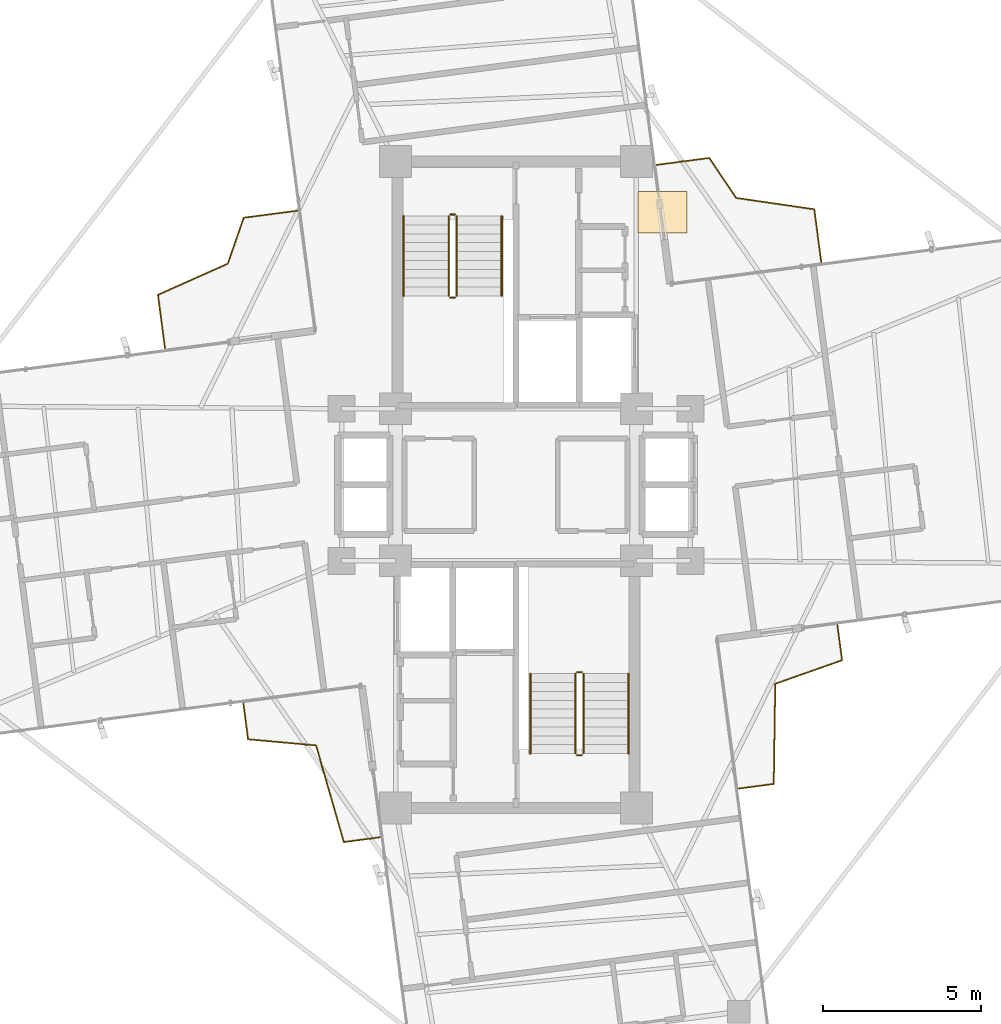
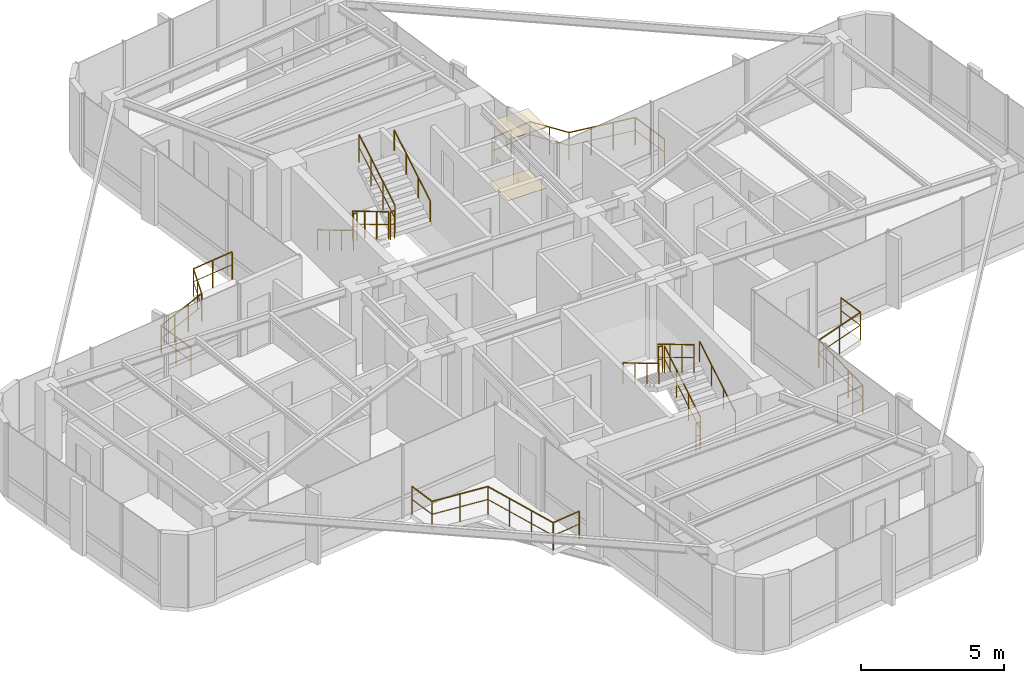
# One storey, part 21 of 21: 16 railings, 2 coverings.
"""IFC4 building model written with IfcOpenShell, lengths in metres."""

from ifc_helpers import new_model, si_unit, direction, frame, origin, origin_2d, place, context, subcontext, project, spatial, polyline, circle, outline, extrude, material, layer, layer_set, type_object, element, save


model = new_model("IFC4")

# Units and contexts
model_context = context("Model", 3, precision=1e-05, world=origin(), true_north=direction((0.0, 1.0)))
body_context = subcontext(model_context, "Body", "Model", "MODEL_VIEW")
ifc_project = project(units=[si_unit("LENGTHUNIT", "METRE"), si_unit("AREAUNIT", "SQUARE_METRE"), si_unit("VOLUMEUNIT", "CUBIC_METRE"), si_unit("PLANEANGLEUNIT", "RADIAN"), si_unit("MASSUNIT", "GRAM", prefix="KILO")], contexts=[model_context])

# Site, building, storey
site_placement = place(None, origin())
site = spatial("IfcSite", under=ifc_project, at=site_placement, CompositionType="ELEMENT")
building_placement = place(site_placement, origin())
building = spatial("IfcBuilding", under=site, at=building_placement, Name="Sahyath Konkavel Grand Hotel", CompositionType="ELEMENT")
storey_placement = place(building_placement, frame((0.0, 0.0, 209.85009765625)))
storey = spatial("IfcBuildingStorey", under=building, at=storey_placement, Name="L58", CompositionType="ELEMENT", Elevation=209.85009765625)

# Coverings
ifc_material_1 = material(Name="Perforated Acoustic Gypsum and Teak Baffle Ceiling")
ifc_layer_1 = layer(ifc_material_1, 0.044921875)
ifc_layer_set_1 = layer_set([ifc_layer_1], Name="Perforated Acoustic Gypsum and Teak Baffle Ceiling")
covering_type_1 = type_object("IfcCoveringType", Name="COV-ACOUSTIC-CLG", PredefinedType="CEILING", material=ifc_layer_set_1)
covering_1_placement = place(storey_placement, frame((0.0, 0.0, 2.58984375)))
element("IfcCovering", 1, at=covering_1_placement, inside=storey, type_object=covering_type_1, Name="L58 Core Vestibule Acoustic Ceiling", PredefinedType="CEILING", context=body_context, shape_type="SweptSolid", body=[
    extrude(outline(polyline([(3.85009765625, 7.949951171875), (5.39990234375, 7.949951171875), (5.39990234375, 9.25), (3.85009765625, 9.25), (3.85009765625, 7.949951171875)])), origin(), (0.0, 0.0, 1.0), 0.0400390625),
])
ifc_material_2 = material(Name="Polished Konkan Aggregate Terrazzo Flooring")
ifc_layer_2 = layer(ifc_material_2, 0.02001953125)
ifc_layer_set_2 = layer_set([ifc_layer_2], Name="Polished Konkan Aggregate Terrazzo Flooring")
covering_type_2 = type_object("IfcCoveringType", Name="COV-TERRAZZO", PredefinedType="FLOORING", material=ifc_layer_set_2)
covering_2_placement = place(storey_placement, origin())
element("IfcCovering", 2, at=covering_2_placement, inside=storey, type_object=covering_type_2, Name="L58 Core Vestibule Terrazzo Flooring", PredefinedType="FLOORING", context=body_context, shape_type="SweptSolid", body=[
    extrude(outline(polyline([(3.85009765625, 7.949951171875), (5.39990234375, 7.949951171875), (5.39990234375, 9.25), (3.85009765625, 9.25), (3.85009765625, 7.949951171875)])), origin(), (0.0, 0.0, 1.0), 0.02001953125),
])

# Railings
ifc_material_3 = material(Name="Anodised Bronze Aluminium", Category="aluminium")
railing_type_1 = type_object("IfcRailingType", Name="RLG-BALC-1200", PredefinedType="GUARDRAIL", material=ifc_material_3)
railing_1_placement = place(storey_placement, frame((9.63330078125, 7.027587890625, 0.0)))
element("IfcRailing", 3, at=railing_1_placement, inside=storey, type_object=railing_type_1, Name="L58 Winter-Garden Guard NE", PredefinedType="GUARDRAIL", context=body_context, shape_type="SweptSolid", body=[
    extrude(circle(Radius=0.02392578125, at=origin_2d()), frame((-0.000244140625, 0.001953125, 1.17578125), z_axis=(-0.130604665444, 0.991434527018, 0.0), x_axis=(-0.991434527018, -0.130604665444, 0.0)), (0.0, 0.0, 1.0), 1.678466796875),
    extrude(circle(Radius=0.01416015625, at=origin_2d()), frame((-0.000244140625, 0.001953125, 0.6240234375), z_axis=(-0.130604665444, 0.991434527018, 0.0), x_axis=(-0.991434527018, -0.130604665444, 0.0)), (0.0, 0.0, 1.0), 1.678466796875),
    extrude(circle(Radius=0.02392578125, at=origin_2d()), frame((-0.2216796875, 1.668212890625, 1.17578125), z_axis=(-0.989589737447, 0.143917169024, 0.0), x_axis=(-0.143917169024, -0.989589737447, 0.0)), (0.0, 0.0, 1.0), 2.488037109375),
    extrude(circle(Radius=0.01416015625, at=origin_2d()), frame((-0.2216796875, 1.668212890625, 0.6240234375), z_axis=(-0.989589737447, 0.143917169024, 0.0), x_axis=(-0.143917169024, -0.989589737447, 0.0)), (0.0, 0.0, 1.0), 2.488037109375),
    extrude(circle(Radius=0.02392578125, at=origin_2d()), frame((-2.68701171875, 2.0283203125, 1.17578125), z_axis=(-0.558471942445, 0.829523411063, 0.0), x_axis=(-0.829523411063, -0.558471942445, 0.0)), (0.0, 0.0, 1.0), 1.517333984375),
    extrude(circle(Radius=0.01416015625, at=origin_2d()), frame((-2.68701171875, 2.0283203125, 0.6240234375), z_axis=(-0.558471942445, 0.829523411063, 0.0), x_axis=(-0.829523411063, -0.558471942445, 0.0)), (0.0, 0.0, 1.0), 1.517333984375),
    extrude(circle(Radius=0.02392578125, at=origin_2d()), frame((-3.537353515625, 3.288330078125, 1.17578125), z_axis=(-0.991453307638, -0.130462020428, 0.0), x_axis=(0.130462020428, -0.991453307638, 0.0)), (0.0, 0.0, 1.0), 1.678466796875),
    extrude(circle(Radius=0.01416015625, at=origin_2d()), frame((-3.537353515625, 3.288330078125, 0.6240234375), z_axis=(-0.991453307638, -0.130462020428, 0.0), x_axis=(0.130462020428, -0.991453307638, 0.0)), (0.0, 0.0, 1.0), 1.678466796875),
    extrude(circle(Radius=0.02099609375, at=origin_2d()), origin(), (0.0, 0.0, 1.0), 1.15185546875),
    extrude(circle(Radius=0.02099609375, at=origin_2d()), frame((-0.10986328125, 0.833984375, 0.0)), (0.0, 0.0, 1.0), 1.15185546875),
    extrude(circle(Radius=0.02099609375, at=origin_2d()), frame((-0.2197265625, 1.66796875, 0.0)), (0.0, 0.0, 1.0), 1.15185546875),
    extrude(circle(Radius=0.02099609375, at=origin_2d()), frame((-1.041748046875, 1.78759765625, 0.0)), (0.0, 0.0, 1.0), 1.15185546875),
    extrude(circle(Radius=0.02099609375, at=origin_2d()), frame((-1.86376953125, 1.906982421875, 0.0)), (0.0, 0.0, 1.0), 1.15185546875),
    extrude(circle(Radius=0.02099609375, at=origin_2d()), frame((-2.685791015625, 2.026611328125, 0.0)), (0.0, 0.0, 1.0), 1.15185546875),
    extrude(circle(Radius=0.02099609375, at=origin_2d()), frame((-3.110595703125, 2.65771484375, 0.0)), (0.0, 0.0, 1.0), 1.15185546875),
    extrude(circle(Radius=0.02099609375, at=origin_2d()), frame((-3.535400390625, 3.28857421875, 0.0)), (0.0, 0.0, 1.0), 1.15185546875),
    extrude(circle(Radius=0.02099609375, at=origin_2d()), frame((-4.369384765625, 3.1787109375, 0.0)), (0.0, 0.0, 1.0), 1.15185546875),
    extrude(circle(Radius=0.02099609375, at=origin_2d()), frame((-5.203369140625, 3.069091796875, 0.0)), (0.0, 0.0, 1.0), 1.15185546875),
])
railing_2_placement = place(storey_placement, frame((-6.8984375, 8.652587890625, 0.0)))
element("IfcRailing", 4, at=railing_2_placement, inside=storey, type_object=railing_type_1, Name="L58 Winter-Garden Guard NW", PredefinedType="GUARDRAIL", context=body_context, shape_type="SweptSolid", body=[
    extrude(circle(Radius=0.02392578125, at=origin_2d()), frame((-0.001953125, -0.000244140625, 1.17578125), z_axis=(-0.991438728669, -0.130572766283, 0.0), x_axis=(0.130572766283, -0.991438728669, 0.0)), (0.0, 0.0, 1.0), 1.705078125),
    extrude(circle(Radius=0.01416015625, at=origin_2d()), frame((-0.001953125, -0.000244140625, 0.6240234375), z_axis=(-0.991438728669, -0.130572766283, 0.0), x_axis=(0.130572766283, -0.991438728669, 0.0)), (0.0, 0.0, 1.0), 1.705078125),
    extrude(circle(Radius=0.02392578125, at=origin_2d()), frame((-1.695068359375, -0.22509765625, 1.17578125), z_axis=(-0.327706053009, -0.944779732436, 0.0), x_axis=(0.944779732436, -0.327706053009, 0.0)), (0.0, 0.0, 1.0), 1.53076171875),
    extrude(circle(Radius=0.01416015625, at=origin_2d()), frame((-1.695068359375, -0.22509765625, 0.6240234375), z_axis=(-0.327706053009, -0.944779732436, 0.0), x_axis=(0.944779732436, -0.327706053009, 0.0)), (0.0, 0.0, 1.0), 1.53076171875),
    extrude(circle(Radius=0.02392578125, at=origin_2d()), frame((-2.198974609375, -1.673828125, 1.17578125), z_axis=(-0.913147292805, -0.407629760498, 0.0), x_axis=(0.407629760498, -0.913147292805, 0.0)), (0.0, 0.0, 1.0), 2.41015625),
    extrude(circle(Radius=0.01416015625, at=origin_2d()), frame((-2.198974609375, -1.673828125, 0.6240234375), z_axis=(-0.913147292805, -0.407629760498, 0.0), x_axis=(0.407629760498, -0.913147292805, 0.0)), (0.0, 0.0, 1.0), 2.41015625),
    extrude(circle(Radius=0.02392578125, at=origin_2d()), frame((-4.401611328125, -2.6591796875, 1.17578125), z_axis=(0.130554275133, -0.991441163784, 0.0), x_axis=(0.991441163784, 0.130554275133, 0.0)), (0.0, 0.0, 1.0), 1.705322265625),
    extrude(circle(Radius=0.01416015625, at=origin_2d()), frame((-4.401611328125, -2.6591796875, 0.6240234375), z_axis=(0.130554275133, -0.991441163784, 0.0), x_axis=(0.991441163784, 0.130554275133, 0.0)), (0.0, 0.0, 1.0), 1.705322265625),
    extrude(circle(Radius=0.02099609375, at=origin_2d()), origin(), (0.0, 0.0, 1.0), 1.15185546875),
    extrude(circle(Radius=0.02099609375, at=origin_2d()), frame((-0.84716796875, -0.111572265625, 0.0)), (0.0, 0.0, 1.0), 1.15185546875),
    extrude(circle(Radius=0.02099609375, at=origin_2d()), frame((-1.6943359375, -0.22314453125, 0.0)), (0.0, 0.0, 1.0), 1.15185546875),
    extrude(circle(Radius=0.02099609375, at=origin_2d()), frame((-1.94580078125, -0.9482421875, 0.0)), (0.0, 0.0, 1.0), 1.15185546875),
    extrude(circle(Radius=0.02099609375, at=origin_2d()), frame((-2.197265625, -1.673095703125, 0.0)), (0.0, 0.0, 1.0), 1.15185546875),
    extrude(circle(Radius=0.02099609375, at=origin_2d()), frame((-2.93212890625, -2.001220703125, 0.0)), (0.0, 0.0, 1.0), 1.15185546875),
    extrude(circle(Radius=0.02099609375, at=origin_2d()), frame((-3.6669921875, -2.3291015625, 0.0)), (0.0, 0.0, 1.0), 1.15185546875),
    extrude(circle(Radius=0.02099609375, at=origin_2d()), frame((-4.40185546875, -2.6572265625, 0.0)), (0.0, 0.0, 1.0), 1.15185546875),
    extrude(circle(Radius=0.02099609375, at=origin_2d()), frame((-4.290283203125, -3.50439453125, 0.0)), (0.0, 0.0, 1.0), 1.15185546875),
    extrude(circle(Radius=0.02099609375, at=origin_2d()), frame((-4.1787109375, -4.351806640625, 0.0)), (0.0, 0.0, 1.0), 1.15185546875),
])
railing_3_placement = place(storey_placement, frame((-8.60595703125, -6.89208984375, 0.0)))
element("IfcRailing", 5, at=railing_3_placement, inside=storey, type_object=railing_type_1, Name="L58 Winter-Garden Guard SW", PredefinedType="GUARDRAIL", context=body_context, shape_type="SweptSolid", body=[
    extrude(circle(Radius=0.02392578125, at=origin_2d()), frame((0.000244140625, -0.001953125, 1.17578125), z_axis=(0.130383102388, -0.991463689003, 0.0), x_axis=(0.991463689003, 0.130383102388, 0.0)), (0.0, 0.0, 1.0), 1.145751953125),
    extrude(circle(Radius=0.01416015625, at=origin_2d()), frame((0.000244140625, -0.001953125, 0.6240234375), z_axis=(0.130383102388, -0.991463689003, 0.0), x_axis=(0.991463689003, 0.130383102388, 0.0)), (0.0, 0.0, 1.0), 1.145751953125),
    extrude(circle(Radius=0.02392578125, at=origin_2d()), frame((0.15185546875, -1.14013671875, 1.17578125), z_axis=(0.996014005687, -0.089196975703, 0.0), x_axis=(0.089196975703, 0.996014005687, 0.0)), (0.0, 0.0, 1.0), 2.150146484375),
    extrude(circle(Radius=0.01416015625, at=origin_2d()), frame((0.15185546875, -1.14013671875, 0.6240234375), z_axis=(0.996014005687, -0.089196975703, 0.0), x_axis=(0.089196975703, 0.996014005687, 0.0)), (0.0, 0.0, 1.0), 2.150146484375),
    extrude(circle(Radius=0.02392578125, at=origin_2d()), frame((2.2958984375, -1.333984375, 1.17578125), z_axis=(0.276082653386, -0.961133897279, 0.0), x_axis=(0.961133897279, 0.276082653386, 0.0)), (0.0, 0.0, 1.0), 3.1689453125),
    extrude(circle(Radius=0.01416015625, at=origin_2d()), frame((2.2958984375, -1.333984375, 0.6240234375), z_axis=(0.276082653386, -0.961133897279, 0.0), x_axis=(0.961133897279, 0.276082653386, 0.0)), (0.0, 0.0, 1.0), 3.1689453125),
    extrude(circle(Radius=0.02392578125, at=origin_2d()), frame((3.17333984375, -4.38134765625, 1.17578125), z_axis=(0.99146007796, 0.130410558669, 0.0), x_axis=(-0.130410558669, 0.99146007796, 0.0)), (0.0, 0.0, 1.0), 1.1455078125),
    extrude(circle(Radius=0.01416015625, at=origin_2d()), frame((3.17333984375, -4.38134765625, 0.6240234375), z_axis=(0.99146007796, 0.130410558669, 0.0), x_axis=(-0.130410558669, 0.99146007796, 0.0)), (0.0, 0.0, 1.0), 1.1455078125),
    extrude(circle(Radius=0.02099609375, at=origin_2d()), origin(), (0.0, 0.0, 1.0), 1.15185546875),
    extrude(circle(Radius=0.02099609375, at=origin_2d()), frame((0.14990234375, -1.139892578125, 0.0)), (0.0, 0.0, 1.0), 1.15185546875),
    extrude(circle(Radius=0.02099609375, at=origin_2d()), frame((1.22265625, -1.23583984375, 0.0)), (0.0, 0.0, 1.0), 1.15185546875),
    extrude(circle(Radius=0.02099609375, at=origin_2d()), frame((2.29541015625, -1.33203125, 0.0)), (0.0, 0.0, 1.0), 1.15185546875),
    extrude(circle(Radius=0.02099609375, at=origin_2d()), frame((2.58740234375, -2.3486328125, 0.0)), (0.0, 0.0, 1.0), 1.15185546875),
    extrude(circle(Radius=0.02099609375, at=origin_2d()), frame((2.87939453125, -3.364990234375, 0.0)), (0.0, 0.0, 1.0), 1.15185546875),
    extrude(circle(Radius=0.02099609375, at=origin_2d()), frame((3.17138671875, -4.381591796875, 0.0)), (0.0, 0.0, 1.0), 1.15185546875),
    extrude(circle(Radius=0.02099609375, at=origin_2d()), frame((4.31103515625, -4.231689453125, 0.0)), (0.0, 0.0, 1.0), 1.15185546875),
])
railing_4_placement = place(storey_placement, frame((7.021240234375, -9.586669921875, 0.0)))
element("IfcRailing", 6, at=railing_4_placement, inside=storey, type_object=railing_type_1, Name="L58 Winter-Garden Guard SE", PredefinedType="GUARDRAIL", context=body_context, shape_type="SweptSolid", body=[
    extrude(circle(Radius=0.02392578125, at=origin_2d()), frame((0.001953125, 0.000244140625, 1.17578125), z_axis=(0.991429862766, 0.130640067424, 0.0), x_axis=(-0.130640067424, 0.991429862766, 0.0)), (0.0, 0.0, 1.0), 1.119140625),
    extrude(circle(Radius=0.01416015625, at=origin_2d()), frame((0.001953125, 0.000244140625, 0.6240234375), z_axis=(0.991429862766, 0.130640067424, 0.0), x_axis=(-0.130640067424, 0.991429862766, 0.0)), (0.0, 0.0, 1.0), 1.119140625),
    extrude(circle(Radius=0.02392578125, at=origin_2d()), frame((1.113525390625, 0.148681640625, 1.17578125), z_axis=(0.015135738943, 0.999885448142, 0.0), x_axis=(-0.999885448142, 0.015135738943, 0.0)), (0.0, 0.0, 1.0), 3.157470703125),
    extrude(circle(Radius=0.01416015625, at=origin_2d()), frame((1.113525390625, 0.148681640625, 0.6240234375), z_axis=(0.015135738943, 0.999885448142, 0.0), x_axis=(-0.999885448142, 0.015135738943, 0.0)), (0.0, 0.0, 1.0), 3.157470703125),
    extrude(circle(Radius=0.02392578125, at=origin_2d()), frame((1.163330078125, 3.30859375, 1.17578125), z_axis=(0.943272463719, 0.332019666873, 0.0), x_axis=(-0.332019666873, 0.943272463719, 0.0)), (0.0, 0.0, 1.0), 2.22998046875),
    extrude(circle(Radius=0.01416015625, at=origin_2d()), frame((1.163330078125, 3.30859375, 0.6240234375), z_axis=(0.943272463719, 0.332019666873, 0.0), x_axis=(-0.332019666873, 0.943272463719, 0.0)), (0.0, 0.0, 1.0), 2.22998046875),
    extrude(circle(Radius=0.02392578125, at=origin_2d()), frame((3.268310546875, 4.051513671875, 1.17578125), z_axis=(-0.130454512571, 0.991454295543, 0.0), x_axis=(-0.991454295543, -0.130454512571, 0.0)), (0.0, 0.0, 1.0), 1.118896484375),
    extrude(circle(Radius=0.01416015625, at=origin_2d()), frame((3.268310546875, 4.051513671875, 0.6240234375), z_axis=(-0.130454512571, 0.991454295543, 0.0), x_axis=(-0.991454295543, -0.130454512571, 0.0)), (0.0, 0.0, 1.0), 1.118896484375),
    extrude(circle(Radius=0.02099609375, at=origin_2d()), origin(), (0.0, 0.0, 1.0), 1.15185546875),
    extrude(circle(Radius=0.02099609375, at=origin_2d()), frame((1.113525390625, 0.146728515625, 0.0)), (0.0, 0.0, 1.0), 1.15185546875),
    extrude(circle(Radius=0.02099609375, at=origin_2d()), frame((1.12939453125, 1.200439453125, 0.0)), (0.0, 0.0, 1.0), 1.15185546875),
    extrude(circle(Radius=0.02099609375, at=origin_2d()), frame((1.1455078125, 2.254150390625, 0.0)), (0.0, 0.0, 1.0), 1.15185546875),
    extrude(circle(Radius=0.02099609375, at=origin_2d()), frame((1.161376953125, 3.307861328125, 0.0)), (0.0, 0.0, 1.0), 1.15185546875),
    extrude(circle(Radius=0.02099609375, at=origin_2d()), frame((2.21484375, 3.6787109375, 0.0)), (0.0, 0.0, 1.0), 1.15185546875),
    extrude(circle(Radius=0.02099609375, at=origin_2d()), frame((3.2685546875, 4.049560546875, 0.0)), (0.0, 0.0, 1.0), 1.15185546875),
    extrude(circle(Radius=0.02099609375, at=origin_2d()), frame((3.1220703125, 5.162841796875, 0.0)), (0.0, 0.0, 1.0), 1.15185546875),
])
ifc_material_4 = material(Name="Steel E350", Category="steel")
railing_type_2 = type_object("IfcRailingType", Name="RLG-STAIR-GRD", PredefinedType="GUARDRAIL", material=ifc_material_4)
railing_5_placement = place(storey_placement, frame((-2.1298828125, 8.47998046875, 0.16748046875)))
element("IfcRailing", 7, at=railing_5_placement, inside=storey, type_object=railing_type_2, Name="L58 ST-1 stair guard 1", PredefinedType="GUARDRAIL", context=body_context, shape_type="SweptSolid", body=[
    extrude(circle(Radius=0.02392578125, at=origin_2d()), frame((0.0, -0.001708984375, 1.177001953125), z_axis=(0.0, -0.858196387827, 0.513321497621), x_axis=(1.0, 0.0, 0.0)), (0.0, 0.0, 1.0), 2.932373046875),
    extrude(circle(Radius=0.01416015625, at=origin_2d()), frame((0.0, -0.001708984375, 0.625), z_axis=(0.0, -0.858196387827, 0.513321497621), x_axis=(1.0, 0.0, 0.0)), (0.0, 0.0, 1.0), 2.932373046875),
    extrude(circle(Radius=0.02099609375, at=origin_2d()), origin(), (0.0, 0.0, 1.0), 1.15185546875),
    extrude(circle(Radius=0.02099609375, at=origin_2d()), frame((0.0, -0.840087890625, 0.50244140625)), (0.0, 0.0, 1.0), 1.15185546875),
    extrude(circle(Radius=0.02099609375, at=origin_2d()), frame((0.0, -1.679931640625, 1.0048828125)), (0.0, 0.0, 1.0), 1.15185546875),
    extrude(circle(Radius=0.02099609375, at=origin_2d()), frame((0.0, -2.52001953125, 1.50732421875)), (0.0, 0.0, 1.0), 1.15185546875),
])
railing_6_placement = place(storey_placement, frame((-2.080078125, 5.909912109375, 1.6748046875)))
element("IfcRailing", 8, at=railing_6_placement, inside=storey, type_object=railing_type_2, Name="L58 ST-1 stair guard 2", PredefinedType="GUARDRAIL", context=body_context, shape_type="SweptSolid", body=[
    extrude(circle(Radius=0.02392578125, at=origin_2d()), frame((0.001953125, 0.0, 1.17578125), z_axis=(1.0, 0.0, 0.0), x_axis=(0.0, 1.0, 0.0)), (0.0, 0.0, 1.0), 0.15625),
    extrude(circle(Radius=0.01416015625, at=origin_2d()), frame((0.001953125, 0.0, 0.6240234375), z_axis=(1.0, 0.0, 0.0), x_axis=(0.0, 1.0, 0.0)), (0.0, 0.0, 1.0), 0.15625),
    extrude(circle(Radius=0.02099609375, at=origin_2d()), origin(), (0.0, 0.0, 1.0), 1.15185546875),
    extrude(circle(Radius=0.02099609375, at=origin_2d()), frame((0.16015625, 0.0, 0.0)), (0.0, 0.0, 1.0), 1.15185546875),
])
railing_7_placement = place(storey_placement, frame((-1.8701171875, 5.9599609375, 1.84228515625)))
element("IfcRailing", 9, at=railing_7_placement, inside=storey, type_object=railing_type_2, Name="L58 ST-1 stair guard 3", PredefinedType="GUARDRAIL", context=body_context, shape_type="SweptSolid", body=[
    extrude(circle(Radius=0.02392578125, at=origin_2d()), frame((0.0, 0.001708984375, 1.177001953125), z_axis=(0.0, 0.858159760407, 0.513382728203), x_axis=(-1.0, 0.0, 0.0)), (0.0, 0.0, 1.0), 2.9326171875),
    extrude(circle(Radius=0.01416015625, at=origin_2d()), frame((0.0, 0.001708984375, 0.625), z_axis=(0.0, 0.858159760407, 0.513382728203), x_axis=(-1.0, 0.0, 0.0)), (0.0, 0.0, 1.0), 2.9326171875),
    extrude(circle(Radius=0.02099609375, at=origin_2d()), origin(), (0.0, 0.0, 1.0), 1.15185546875),
    extrude(circle(Radius=0.02099609375, at=origin_2d()), frame((0.0, 0.840087890625, 0.50244140625)), (0.0, 0.0, 1.0), 1.15185546875),
    extrude(circle(Radius=0.02099609375, at=origin_2d()), frame((0.0, 1.679931640625, 1.005126953125)), (0.0, 0.0, 1.0), 1.15185546875),
    extrude(circle(Radius=0.02099609375, at=origin_2d()), frame((0.0, 2.52001953125, 1.507568359375)), (0.0, 0.0, 1.0), 1.15185546875),
])
railing_8_placement = place(storey_placement, frame((-2.080078125, 8.530029296875, 0.0)))
element("IfcRailing", 10, at=railing_8_placement, inside=storey, type_object=railing_type_2, Name="L58 ST-1 stair guard 4", PredefinedType="GUARDRAIL", context=body_context, shape_type="SweptSolid", body=[
    extrude(circle(Radius=0.02392578125, at=origin_2d()), frame((0.001953125, 0.0, 1.17578125), z_axis=(1.0, 0.0, 0.0), x_axis=(0.0, 1.0, 0.0)), (0.0, 0.0, 1.0), 0.15625),
    extrude(circle(Radius=0.01416015625, at=origin_2d()), frame((0.001953125, 0.0, 0.6240234375), z_axis=(1.0, 0.0, 0.0), x_axis=(0.0, 1.0, 0.0)), (0.0, 0.0, 1.0), 0.15625),
    extrude(circle(Radius=0.02099609375, at=origin_2d()), origin(), (0.0, 0.0, 1.0), 1.15185546875),
    extrude(circle(Radius=0.02099609375, at=origin_2d()), frame((0.16015625, 0.0, 0.0)), (0.0, 0.0, 1.0), 1.15185546875),
])
railing_9_placement = place(storey_placement, frame((2.1298828125, -8.47998046875, 0.16748046875)))
element("IfcRailing", 11, at=railing_9_placement, inside=storey, type_object=railing_type_2, Name="L58 ST-2 stair guard 1", PredefinedType="GUARDRAIL", context=body_context, shape_type="SweptSolid", body=[
    extrude(circle(Radius=0.02392578125, at=origin_2d()), frame((0.0, 0.001708984375, 1.177001953125), z_axis=(0.0, 0.858196387827, 0.513321497621), x_axis=(-1.0, 0.0, 0.0)), (0.0, 0.0, 1.0), 2.932373046875),
    extrude(circle(Radius=0.01416015625, at=origin_2d()), frame((0.0, 0.001708984375, 0.625), z_axis=(0.0, 0.858196387827, 0.513321497621), x_axis=(-1.0, 0.0, 0.0)), (0.0, 0.0, 1.0), 2.932373046875),
    extrude(circle(Radius=0.02099609375, at=origin_2d()), origin(), (0.0, 0.0, 1.0), 1.15185546875),
    extrude(circle(Radius=0.02099609375, at=origin_2d()), frame((0.0, 0.840087890625, 0.50244140625)), (0.0, 0.0, 1.0), 1.15185546875),
    extrude(circle(Radius=0.02099609375, at=origin_2d()), frame((0.0, 1.679931640625, 1.0048828125)), (0.0, 0.0, 1.0), 1.15185546875),
    extrude(circle(Radius=0.02099609375, at=origin_2d()), frame((0.0, 2.52001953125, 1.50732421875)), (0.0, 0.0, 1.0), 1.15185546875),
])
railing_10_placement = place(storey_placement, frame((2.080078125, -5.909912109375, 1.6748046875)))
element("IfcRailing", 12, at=railing_10_placement, inside=storey, type_object=railing_type_2, Name="L58 ST-2 stair guard 2", PredefinedType="GUARDRAIL", context=body_context, shape_type="SweptSolid", body=[
    extrude(circle(Radius=0.02392578125, at=origin_2d()), frame((-0.001953125, 0.0, 1.17578125), z_axis=(-1.0, 0.0, 0.0), x_axis=(0.0, -1.0, 0.0)), (0.0, 0.0, 1.0), 0.15625),
    extrude(circle(Radius=0.01416015625, at=origin_2d()), frame((-0.001953125, 0.0, 0.6240234375), z_axis=(-1.0, 0.0, 0.0), x_axis=(0.0, -1.0, 0.0)), (0.0, 0.0, 1.0), 0.15625),
    extrude(circle(Radius=0.02099609375, at=origin_2d()), origin(), (0.0, 0.0, 1.0), 1.15185546875),
    extrude(circle(Radius=0.02099609375, at=origin_2d()), frame((-0.16015625, 0.0, 0.0)), (0.0, 0.0, 1.0), 1.15185546875),
])
railing_11_placement = place(storey_placement, frame((1.8701171875, -5.9599609375, 1.84228515625)))
element("IfcRailing", 13, at=railing_11_placement, inside=storey, type_object=railing_type_2, Name="L58 ST-2 stair guard 3", PredefinedType="GUARDRAIL", context=body_context, shape_type="SweptSolid", body=[
    extrude(circle(Radius=0.02392578125, at=origin_2d()), frame((0.0, -0.001708984375, 1.177001953125), z_axis=(0.0, -0.858159760407, 0.513382728203), x_axis=(1.0, 0.0, 0.0)), (0.0, 0.0, 1.0), 2.9326171875),
    extrude(circle(Radius=0.01416015625, at=origin_2d()), frame((0.0, -0.001708984375, 0.625), z_axis=(0.0, -0.858159760407, 0.513382728203), x_axis=(1.0, 0.0, 0.0)), (0.0, 0.0, 1.0), 2.9326171875),
    extrude(circle(Radius=0.02099609375, at=origin_2d()), origin(), (0.0, 0.0, 1.0), 1.15185546875),
    extrude(circle(Radius=0.02099609375, at=origin_2d()), frame((0.0, -0.840087890625, 0.50244140625)), (0.0, 0.0, 1.0), 1.15185546875),
    extrude(circle(Radius=0.02099609375, at=origin_2d()), frame((0.0, -1.679931640625, 1.005126953125)), (0.0, 0.0, 1.0), 1.15185546875),
    extrude(circle(Radius=0.02099609375, at=origin_2d()), frame((0.0, -2.52001953125, 1.507568359375)), (0.0, 0.0, 1.0), 1.15185546875),
])
railing_12_placement = place(storey_placement, frame((2.080078125, -8.530029296875, 0.0)))
element("IfcRailing", 14, at=railing_12_placement, inside=storey, type_object=railing_type_2, Name="L58 ST-2 stair guard 4", PredefinedType="GUARDRAIL", context=body_context, shape_type="SweptSolid", body=[
    extrude(circle(Radius=0.02392578125, at=origin_2d()), frame((-0.001953125, 0.0, 1.17578125), z_axis=(-1.0, 0.0, 0.0), x_axis=(0.0, -1.0, 0.0)), (0.0, 0.0, 1.0), 0.15625),
    extrude(circle(Radius=0.01416015625, at=origin_2d()), frame((-0.001953125, 0.0, 0.6240234375), z_axis=(-1.0, 0.0, 0.0), x_axis=(0.0, -1.0, 0.0)), (0.0, 0.0, 1.0), 0.15625),
    extrude(circle(Radius=0.02099609375, at=origin_2d()), origin(), (0.0, 0.0, 1.0), 1.15185546875),
    extrude(circle(Radius=0.02099609375, at=origin_2d()), frame((-0.16015625, 0.0, 0.0)), (0.0, 0.0, 1.0), 1.15185546875),
])
railing_type_3 = type_object("IfcRailingType", Name="RLG-STAIR-HND", PredefinedType="HANDRAIL", material=ifc_material_3)
railing_13_placement = place(storey_placement, frame((-3.550048828125, 8.47998046875, 0.16748046875)))
element("IfcRailing", 15, at=railing_13_placement, inside=storey, type_object=railing_type_3, Name="L58 ST-1 stair handrail 1", PredefinedType="HANDRAIL", context=body_context, shape_type="SweptSolid", body=[
    extrude(circle(Radius=0.02392578125, at=origin_2d()), frame((0.0, -0.001708984375, 0.876953125), z_axis=(0.0, -0.858196387827, 0.513321497621), x_axis=(1.0, 0.0, 0.0)), (0.0, 0.0, 1.0), 2.932373046875),
    extrude(circle(Radius=0.02099609375, at=origin_2d()), origin(), (0.0, 0.0, 1.0), 0.851806640625),
    extrude(circle(Radius=0.02099609375, at=origin_2d()), frame((0.0, -0.840087890625, 0.50244140625)), (0.0, 0.0, 1.0), 0.851806640625),
    extrude(circle(Radius=0.02099609375, at=origin_2d()), frame((0.0, -1.679931640625, 1.0048828125)), (0.0, 0.0, 1.0), 0.851806640625),
    extrude(circle(Radius=0.02099609375, at=origin_2d()), frame((0.0, -2.52001953125, 1.50732421875)), (0.0, 0.0, 1.0), 0.851806640625),
])
railing_14_placement = place(storey_placement, frame((-0.449951171875, 5.9599609375, 1.84228515625)))
element("IfcRailing", 16, at=railing_14_placement, inside=storey, type_object=railing_type_3, Name="L58 ST-1 stair handrail 2", PredefinedType="HANDRAIL", context=body_context, shape_type="SweptSolid", body=[
    extrude(circle(Radius=0.02392578125, at=origin_2d()), frame((0.0, 0.001708984375, 0.876953125), z_axis=(0.0, 0.858159760407, 0.513382728203), x_axis=(-1.0, 0.0, 0.0)), (0.0, 0.0, 1.0), 2.9326171875),
    extrude(circle(Radius=0.02099609375, at=origin_2d()), origin(), (0.0, 0.0, 1.0), 0.851806640625),
    extrude(circle(Radius=0.02099609375, at=origin_2d()), frame((0.0, 0.840087890625, 0.50244140625)), (0.0, 0.0, 1.0), 0.851806640625),
    extrude(circle(Radius=0.02099609375, at=origin_2d()), frame((0.0, 1.679931640625, 1.005126953125)), (0.0, 0.0, 1.0), 0.851806640625),
    extrude(circle(Radius=0.02099609375, at=origin_2d()), frame((0.0, 2.52001953125, 1.507568359375)), (0.0, 0.0, 1.0), 0.851806640625),
])
railing_15_placement = place(storey_placement, frame((3.550048828125, -8.47998046875, 0.16748046875)))
element("IfcRailing", 17, at=railing_15_placement, inside=storey, type_object=railing_type_3, Name="L58 ST-2 stair handrail 1", PredefinedType="HANDRAIL", context=body_context, shape_type="SweptSolid", body=[
    extrude(circle(Radius=0.02392578125, at=origin_2d()), frame((0.0, 0.001708984375, 0.876953125), z_axis=(0.0, 0.858196387827, 0.513321497621), x_axis=(-1.0, 0.0, 0.0)), (0.0, 0.0, 1.0), 2.932373046875),
    extrude(circle(Radius=0.02099609375, at=origin_2d()), origin(), (0.0, 0.0, 1.0), 0.851806640625),
    extrude(circle(Radius=0.02099609375, at=origin_2d()), frame((0.0, 0.840087890625, 0.50244140625)), (0.0, 0.0, 1.0), 0.851806640625),
    extrude(circle(Radius=0.02099609375, at=origin_2d()), frame((0.0, 1.679931640625, 1.0048828125)), (0.0, 0.0, 1.0), 0.851806640625),
    extrude(circle(Radius=0.02099609375, at=origin_2d()), frame((0.0, 2.52001953125, 1.50732421875)), (0.0, 0.0, 1.0), 0.851806640625),
])
railing_16_placement = place(storey_placement, frame((0.449951171875, -5.9599609375, 1.84228515625)))
element("IfcRailing", 18, at=railing_16_placement, inside=storey, type_object=railing_type_3, Name="L58 ST-2 stair handrail 2", PredefinedType="HANDRAIL", context=body_context, shape_type="SweptSolid", body=[
    extrude(circle(Radius=0.02392578125, at=origin_2d()), frame((0.0, -0.001708984375, 0.876953125), z_axis=(0.0, -0.858159760407, 0.513382728203), x_axis=(1.0, 0.0, 0.0)), (0.0, 0.0, 1.0), 2.9326171875),
    extrude(circle(Radius=0.02099609375, at=origin_2d()), origin(), (0.0, 0.0, 1.0), 0.851806640625),
    extrude(circle(Radius=0.02099609375, at=origin_2d()), frame((0.0, -0.840087890625, 0.50244140625)), (0.0, 0.0, 1.0), 0.851806640625),
    extrude(circle(Radius=0.02099609375, at=origin_2d()), frame((0.0, -1.679931640625, 1.005126953125)), (0.0, 0.0, 1.0), 0.851806640625),
    extrude(circle(Radius=0.02099609375, at=origin_2d()), frame((0.0, -2.52001953125, 1.507568359375)), (0.0, 0.0, 1.0), 0.851806640625),
])

save(model, "model.ifc")
